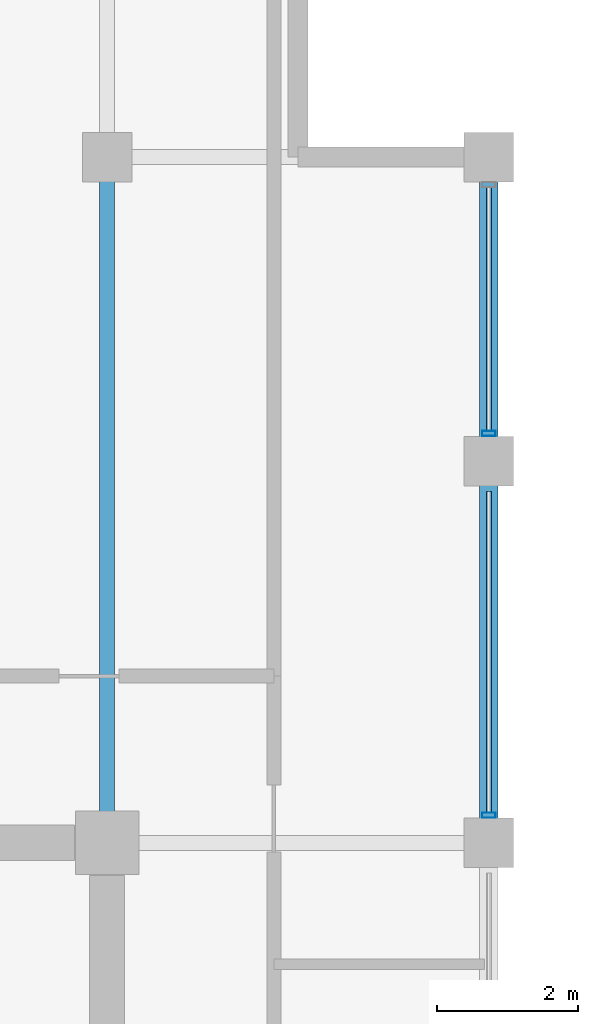
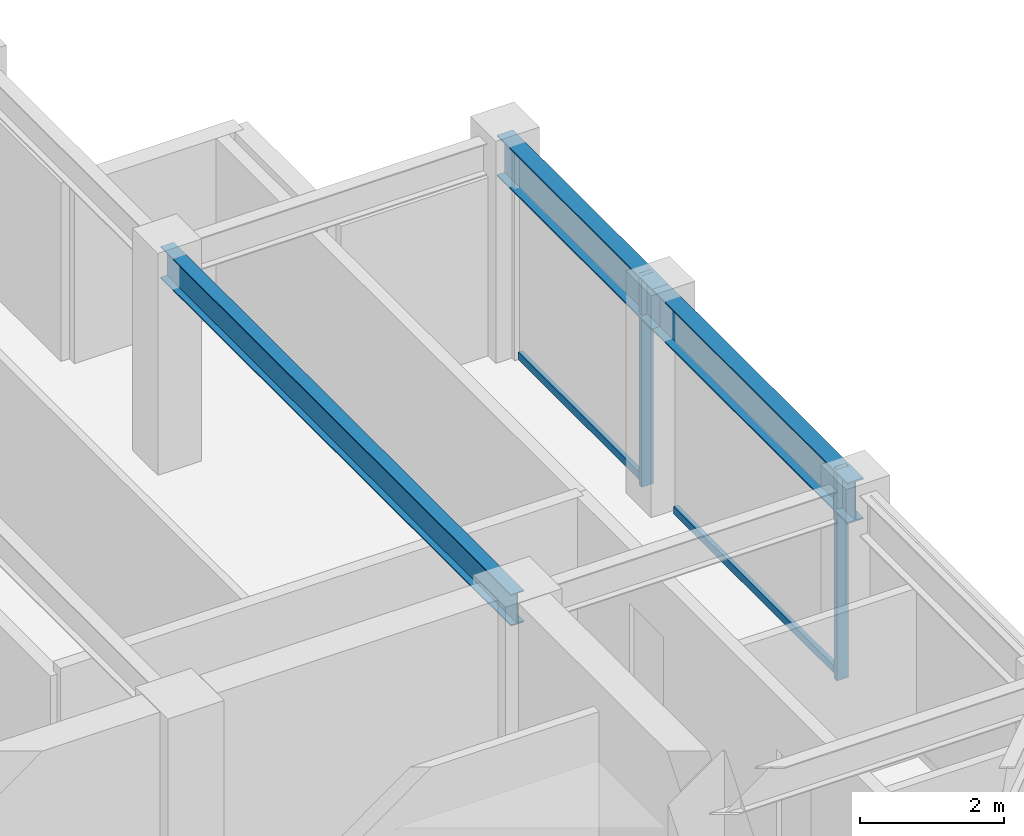
# One storey, part 19 of 31: 4 members, 3 beams, 1 element without a shape of its own.
"""IFC4 building model written with IfcOpenShell, lengths in metres."""

from ifc_helpers import new_model, si_unit, direction, frame, origin, origin_2d, place, context, subcontext, project, spatial, hollow_rectangle, i_section, extrude, material, layer, layer_set, material_profile, profile_set, type_object, element, aggregate, save


model = new_model("IFC4")

# Units and contexts
model_context = context("Model", 3, precision=1e-05, world=origin(), true_north=direction((0.0, 1.0)))
body_context = subcontext(model_context, "Body", "Model", "MODEL_VIEW")
ifc_project = project(units=[si_unit("LENGTHUNIT", "METRE"), si_unit("AREAUNIT", "SQUARE_METRE"), si_unit("VOLUMEUNIT", "CUBIC_METRE"), si_unit("PLANEANGLEUNIT", "RADIAN"), si_unit("MASSUNIT", "GRAM", prefix="KILO")], contexts=[model_context])

# Site, building, storey
site_placement = place(None, origin())
site = spatial("IfcSite", under=ifc_project, at=site_placement, CompositionType="ELEMENT")
building_placement = place(site_placement, origin())
building = spatial("IfcBuilding", under=site, at=building_placement, Name="Surkhivell Harbour Commons", CompositionType="ELEMENT")
storey_placement = place(building_placement, frame((0.0, 0.0, 318.75)))
storey = spatial("IfcBuildingStorey", under=building, at=storey_placement, Name="L83", CompositionType="ELEMENT", Elevation=318.75)

# Beams
ifc_material_1 = material(Name="Steel S355", Category="steel")
ifc_material_profile_1 = material_profile(ifc_material_1, i_section(OverallWidth=0.2099609375, OverallDepth=0.537109375, WebThickness=0.0107421875, FlangeThickness=0.017333984375, at=origin_2d()), Name="UB533x210x101")
ifc_profile_set_1 = profile_set([ifc_material_profile_1], Name="Steel S355")
beam_type_1 = type_object("IfcBeamType", Name="BM-GRD-533B", PredefinedType="BEAM", material=ifc_profile_set_1)
beam_1_placement = place(storey_placement, frame((10.800048828125, 10.800048828125, 3.301513671875), z_axis=(0.0, 1.0, 0.0), x_axis=(-1.0, 0.0, 0.0)))
element("IfcBeam", 1, at=beam_1_placement, inside=storey, type_object=beam_type_1, Name="L83 Floor Girder (10.8,10.8)", PredefinedType="BEAM", context=body_context, shape_type="SweptSolid", body=[
    extrude(i_section(OverallWidth=0.2099609375, OverallDepth=0.537109375, WebThickness=0.0107421875, FlangeThickness=0.017333984375, at=origin_2d()), origin(), (0.0, 0.0, 1.0), 9.699951171875),
])
ifc_material_profile_2 = material_profile(ifc_material_1, i_section(OverallWidth=0.256103515625, OverallDepth=0.693115234375, WebThickness=0.014404296875, FlangeThickness=0.023681640625, at=origin_2d()), Name="UB686x254x170")
ifc_profile_set_2 = profile_set([ifc_material_profile_2], Name="Steel S355")
beam_type_2 = type_object("IfcBeamType", Name="BM-SPN-686", PredefinedType="SPANDREL", material=ifc_profile_set_2)
beam_2_placement = place(storey_placement, frame((16.199951171875, 10.800048828125, 3.223388671875), z_axis=(0.0, 1.0, 0.0), x_axis=(-1.0, 0.0, 0.0)))
element("IfcBeam", 2, at=beam_2_placement, inside=storey, type_object=beam_type_2, Name="L83 Tube Spandrel (16.2,10.8)", PredefinedType="SPANDREL", context=body_context, shape_type="SweptSolid", body=[
    extrude(i_section(OverallWidth=0.256103515625, OverallDepth=0.693115234375, WebThickness=0.014404296875, FlangeThickness=0.023681640625, at=origin_2d()), origin(), (0.0, 0.0, 1.0), 5.39990234375),
])
beam_3_placement = place(storey_placement, frame((16.199951171875, 16.199951171875, 3.223388671875), z_axis=(0.0, 1.0, 0.0), x_axis=(-1.0, 0.0, 0.0)))
element("IfcBeam", 3, at=beam_3_placement, inside=storey, type_object=beam_type_2, Name="L83 Tube Spandrel (16.2,16.2)", PredefinedType="SPANDREL", context=body_context, shape_type="SweptSolid", body=[
    extrude(i_section(OverallWidth=0.256103515625, OverallDepth=0.693115234375, WebThickness=0.014404296875, FlangeThickness=0.023681640625, at=origin_2d()), origin(), (0.0, 0.0, 1.0), 4.300048828125),
])

# Curtain wall, members
ifc_material_2 = material(Name="Anodised pale-metal aluminium and insulated glazing", Category="aluminium")
ifc_layer = layer(ifc_material_2, 0.175048828125)
ifc_layer_set = layer_set([ifc_layer], Name="Anodised pale-metal aluminium and insulated glazing")
curtain_wall_type = type_object("IfcCurtainWallType", Name="CW-SYS-Z4", PredefinedType="NOTDEFINED", material=ifc_layer_set)
curtain_wall_placement = place(storey_placement, origin())
curtain_wall = element("IfcCurtainWall", 4, at=curtain_wall_placement, inside=storey, type_object=curtain_wall_type, Name="L83 Curtain Wall CW-L83-E02R1", PredefinedType="NOTDEFINED")
ifc_material_3 = material(Name="Anodised pale-metal aluminium alloy 6063-T6", Category="aluminium")
ifc_material_profile_3 = material_profile(ifc_material_3, hollow_rectangle(XDim=0.074951171875, YDim=0.18994140625, WallThickness=0.00390625, at=origin_2d()), Name="ALU-MULL-75x190")
ifc_profile_set_3 = profile_set([ifc_material_profile_3], Name="Anodised pale-metal aluminium alloy 6063-T6")
member_type_1 = type_object("IfcMemberType", Name="CWM-190", PredefinedType="MULLION", material=ifc_profile_set_3)
member_1_placement = place(storey_placement, frame((16.199951171875, 11.189453125, 0.0), z_axis=(0.0, 0.0, 1.0), x_axis=(0.0, 1.0, 0.0)))
member_1 = element("IfcMember", 5, at=member_1_placement, type_object=member_type_1, Name="CW-Z4 mullion 3", PredefinedType="MULLION", context=body_context, shape_type="SweptSolid", body=[
    extrude(hollow_rectangle(XDim=0.074951171875, YDim=0.18994140625, WallThickness=0.00390625, at=origin_2d()), origin(), (0.0, 0.0, 1.0), 3.570068359375),
])
member_2_placement = place(storey_placement, frame((16.199951171875, 16.589599609375, 0.0), z_axis=(0.0, 0.0, 1.0), x_axis=(0.0, 1.0, 0.0)))
member_2 = element("IfcMember", 6, at=member_2_placement, type_object=member_type_1, Name="CW-Z4 mullion 4", PredefinedType="MULLION", context=body_context, shape_type="SweptSolid", body=[
    extrude(hollow_rectangle(XDim=0.074951171875, YDim=0.18994140625, WallThickness=0.00390625, at=origin_2d()), origin(), (0.0, 0.0, 1.0), 3.570068359375),
])
ifc_material_4 = material(Name="Champagne anodised aluminium alloy 6063-T6", Category="aluminium")
ifc_material_profile_4 = material_profile(ifc_material_4, hollow_rectangle(XDim=0.070068359375, YDim=0.1298828125, WallThickness=0.00341796875, at=origin_2d()), Name="ALU-TRAN-70x130")
ifc_profile_set_4 = profile_set([ifc_material_profile_4], Name="Champagne anodised aluminium alloy 6063-T6")
member_type_2 = type_object("IfcMemberType", Name="CWT-130", PredefinedType="USERDEFINED", material=ifc_profile_set_4)
member_3_placement = place(storey_placement, frame((16.199951171875, 11.22705078125, 0.06494140625), z_axis=(0.0, 1.0, 0.0), x_axis=(-1.0, 0.0, 0.0)))
member_3 = element("IfcMember", 7, at=member_3_placement, type_object=member_type_2, Name="CW-Z4 transom 3.1", ObjectType="TRANSOM", PredefinedType="USERDEFINED", context=body_context, shape_type="SweptSolid", body=[
    extrude(hollow_rectangle(XDim=0.070068359375, YDim=0.1298828125, WallThickness=0.00341796875, at=origin_2d()), origin(), (0.0, 0.0, 1.0), 4.5458984375),
])
member_4_placement = place(storey_placement, frame((16.199951171875, 16.626953125, 0.06494140625), z_axis=(0.0, 1.0, 0.0), x_axis=(-1.0, 0.0, 0.0)))
member_4 = element("IfcMember", 8, at=member_4_placement, type_object=member_type_2, Name="CW-Z4 transom 4.1", ObjectType="TRANSOM", PredefinedType="USERDEFINED", context=body_context, shape_type="SweptSolid", body=[
    extrude(hollow_rectangle(XDim=0.070068359375, YDim=0.1298828125, WallThickness=0.00341796875, at=origin_2d()), origin(), (0.0, 0.0, 1.0), 3.446044921875),
])
aggregate(curtain_wall, [member_1, member_3, member_2, member_4])

save(model, "model.ifc")
